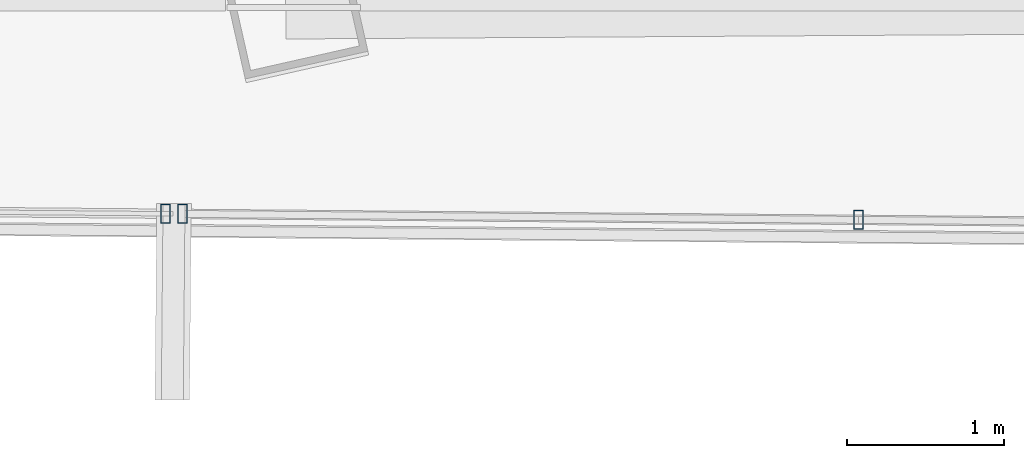
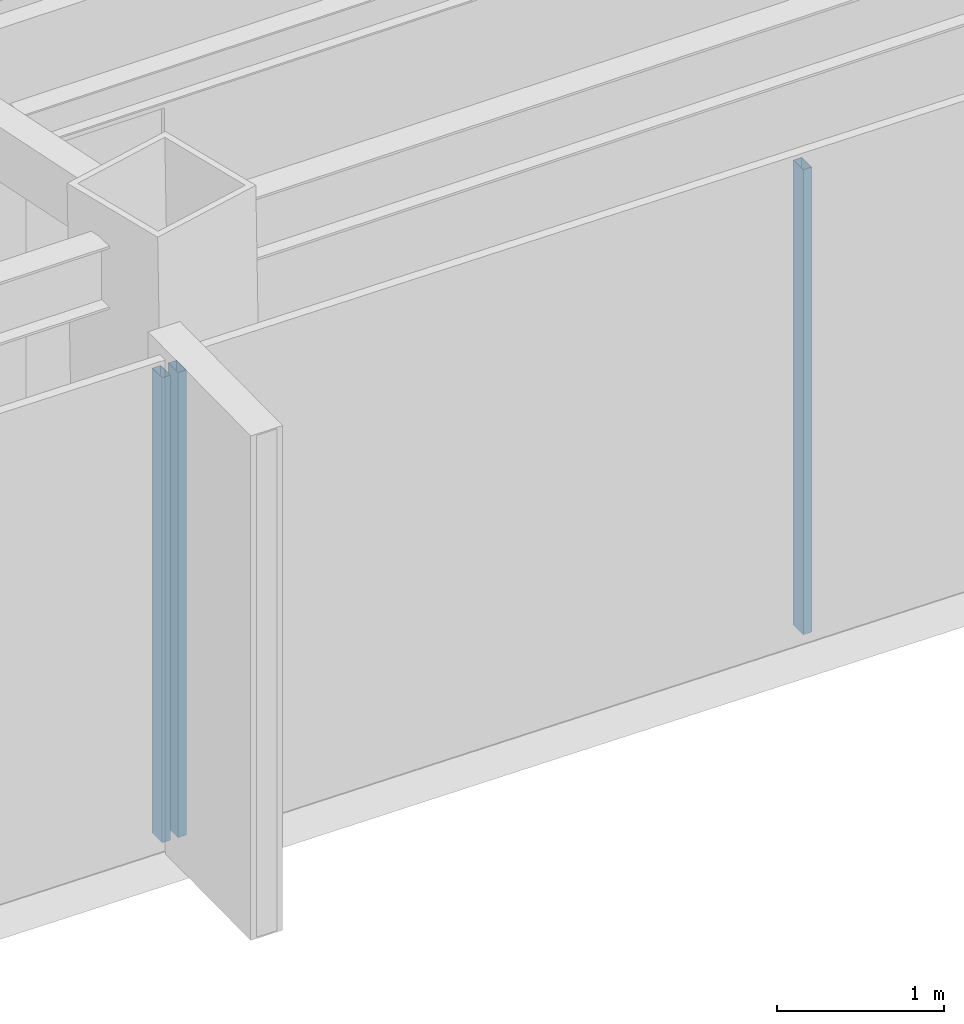
# One storey, part 12 of 47: 3 members, 2 elements without a shape of their own.
"""IFC4 building model written with IfcOpenShell, lengths in metres."""

from ifc_helpers import new_model, si_unit, direction, frame, origin, origin_2d, place, context, subcontext, project, spatial, hollow_rectangle, extrude, source, transform, mapped, material, material_profile, profile_set, type_object, type_shapes, element, aggregate, save


model = new_model("IFC4")

# Units and contexts
model_context = context("Model", 3, precision=1e-05, world=origin(), true_north=direction((0.0, 1.0)))
body_context = subcontext(model_context, "Body", "Model", "MODEL_VIEW")
ifc_project = project(units=[si_unit("LENGTHUNIT", "METRE"), si_unit("AREAUNIT", "SQUARE_METRE"), si_unit("VOLUMEUNIT", "CUBIC_METRE"), si_unit("PLANEANGLEUNIT", "RADIAN"), si_unit("MASSUNIT", "GRAM", prefix="KILO")], contexts=[model_context])

# Site, building, storey
site_placement = place(None, origin())
site = spatial("IfcSite", under=ifc_project, at=site_placement, CompositionType="ELEMENT")
building_placement = place(site_placement, origin())
building = spatial("IfcBuilding", under=site, at=building_placement, Name="Caelisora Broadcast Tower", CompositionType="ELEMENT")
storey_placement = place(building_placement, frame((0.0, 0.0, 229.85009765625)))
storey = spatial("IfcBuildingStorey", under=building, at=storey_placement, Name="L60", CompositionType="ELEMENT", Elevation=229.85009765625)

# Curtain wall, members
ifc_material_1 = material(Name="Unitised Aluminium Insulated Shadow-Box Spandrel Curtain Wall", Category="aluminium")
curtain_wall_type_1 = type_object("IfcCurtainWallType", Name="CW-SP3", PredefinedType="NOTDEFINED", material=ifc_material_1)
curtain_wall_1_placement = place(storey_placement, origin())
curtain_wall_1 = element("IfcCurtainWall", 1, at=curtain_wall_1_placement, inside=storey, type_object=curtain_wall_type_1, Name="L60 curtain wall CW-SP3", PredefinedType="NOTDEFINED")
ifc_material_2 = material(Name="Aluminium 6063-T6 Anodised Terracotta Bronze", Category="aluminium")
ifc_material_profile = material_profile(ifc_material_2, hollow_rectangle(XDim=0.06005859375, YDim=0.1201171875, WallThickness=0.0029296875, at=origin_2d()), Name="Aluminium 6063-T6 Anodised Terracotta Bronze")
ifc_profile_set = profile_set([ifc_material_profile], Name="Aluminium 6063-T6 Anodised Terracotta Bronze")
member_type = type_object("IfcMemberType", Name="CWM-04", PredefinedType="MULLION", material=ifc_profile_set)
shared_shape = source(origin(), body_context, "Body", "SweptSolid", [
    extrude(hollow_rectangle(XDim=0.06005859375, YDim=0.1201171875, WallThickness=0.0029296875, at=origin_2d()), origin(), (0.0, 0.0, 1.0), 3.39990234375),
])
type_shapes(member_type, [shared_shape])
member_1_placement = place(storey_placement, frame((35.811279296875, 7.454345703125, 0.0), z_axis=(0.0, 0.0, 1.0), x_axis=(1.0, 0.0, 0.0)))
member_1 = element("IfcMember", 2, at=member_1_placement, type_object=member_type, Name="L60-CW-B06 mullion #2", PredefinedType="MULLION", context=body_context, shape_type="MappedRepresentation", body=[
    mapped(shared_shape, transform((0.0, 0.0, 0.0), scale=1.0)),
])
member_2_placement = place(storey_placement, frame((31.5078125, 7.49267578125, 0.0), z_axis=(0.0, 0.0, 1.0), x_axis=(1.0, 0.0, 0.0)))
member_2 = element("IfcMember", 3, at=member_2_placement, type_object=member_type, Name="L60-CW-B06 mullion #3", PredefinedType="MULLION", context=body_context, shape_type="MappedRepresentation", body=[
    mapped(shared_shape, transform((0.0, 0.0, 0.0), scale=1.0)),
])
aggregate(curtain_wall_1, [member_1, member_2])

# Curtain wall, member
ifc_material_3 = material(Name="Unitised Aluminium and Low-E Glass Curtain Wall", Category="glass")
curtain_wall_type_2 = type_object("IfcCurtainWallType", Name="CW-Z5", PredefinedType="NOTDEFINED", material=ifc_material_3)
curtain_wall_2_placement = place(storey_placement, origin())
curtain_wall_2 = element("IfcCurtainWall", 4, at=curtain_wall_2_placement, inside=storey, type_object=curtain_wall_type_2, Name="L60 curtain wall CW-Z5", PredefinedType="NOTDEFINED")
member_3_placement = place(storey_placement, frame((31.39794921875, 7.49365234375, 0.0), z_axis=(0.0, 0.0, 1.0), x_axis=(1.0, 0.0, 0.0)))
member_3 = element("IfcMember", 5, at=member_3_placement, type_object=member_type, Name="L60-CW-B07 mullion #0", PredefinedType="MULLION", context=body_context, shape_type="MappedRepresentation", body=[
    mapped(shared_shape, transform((0.0, 0.0, 0.0), scale=1.0)),
])
aggregate(curtain_wall_2, [member_3])

save(model, "model.ifc")
